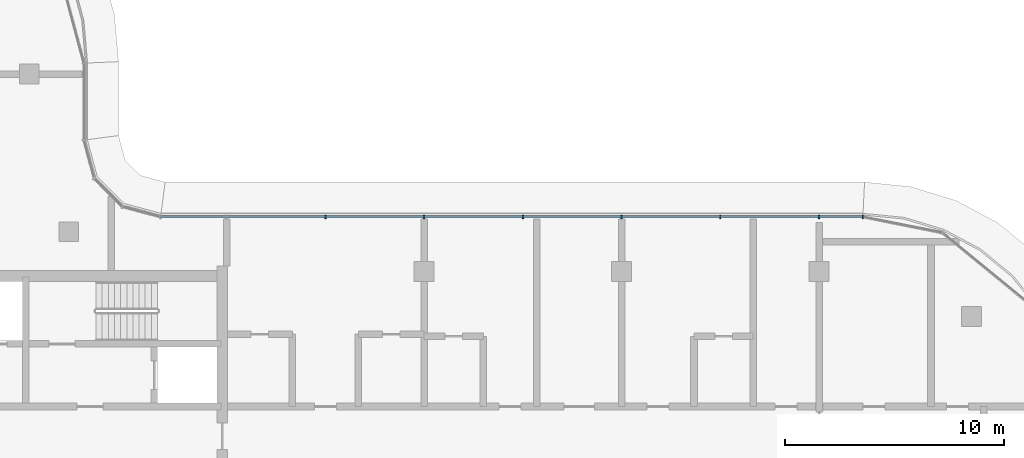
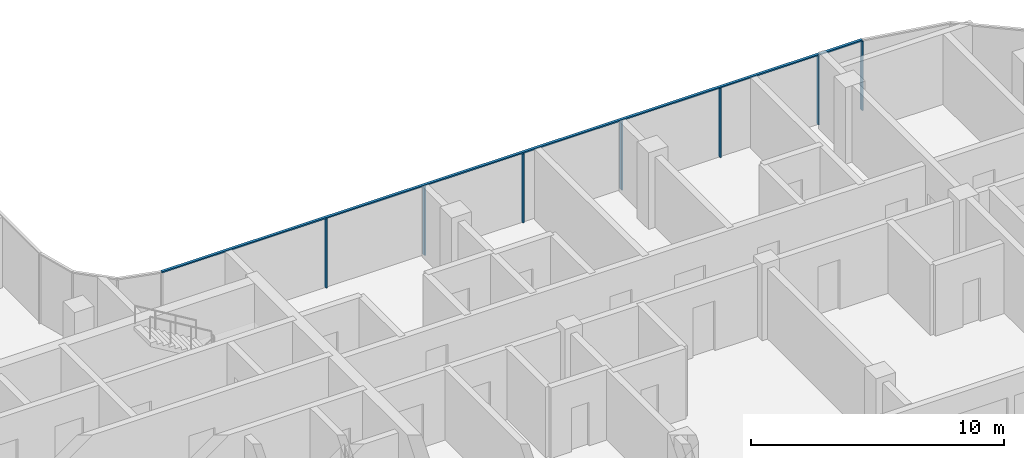
# One storey, part 4 of 20: 8 members, 1 element without a shape of its own.
"""IFC4 building model written with IfcOpenShell, lengths in metres."""

from ifc_helpers import new_model, si_unit, direction, frame, origin, origin_2d, place, context, subcontext, project, spatial, rectangle, extrude, material, material_profile, profile_set, type_object, element, aggregate, save


model = new_model("IFC4")

# Units and contexts
model_context = context("Model", 3, precision=1e-05, world=origin(), true_north=direction((0.0, 1.0)))
body_context = subcontext(model_context, "Body", "Model", "MODEL_VIEW")
ifc_project = project(units=[si_unit("LENGTHUNIT", "METRE"), si_unit("AREAUNIT", "SQUARE_METRE"), si_unit("VOLUMEUNIT", "CUBIC_METRE"), si_unit("PLANEANGLEUNIT", "RADIAN"), si_unit("MASSUNIT", "GRAM", prefix="KILO")], contexts=[model_context])

# Site, building, storey
site_placement = place(None, origin())
site = spatial("IfcSite", under=ifc_project, at=site_placement, CompositionType="ELEMENT")
building_placement = place(site_placement, origin())
building = spatial("IfcBuilding", under=site, at=building_placement, Name="Ogive Portal Towers", CompositionType="ELEMENT")
storey_placement = place(building_placement, frame((0.0, 0.0, 232.800048828125)))
storey = spatial("IfcBuildingStorey", under=building, at=storey_placement, Name="L58", CompositionType="ELEMENT", Elevation=232.800048828125)

# Curtain wall, members
ifc_material_1 = material(Name="Glass, clear low-iron insulated glazing", Category="glass")
curtain_wall_type = type_object("IfcCurtainWallType", Name="CW FRONT RIBBON 4500", PredefinedType="NOTDEFINED", material=ifc_material_1)
curtain_wall_placement = place(storey_placement, origin())
curtain_wall = element("IfcCurtainWall", 1, at=curtain_wall_placement, inside=storey, type_object=curtain_wall_type, Name="A:L58:f16:cw0", PredefinedType="NOTDEFINED")
ifc_material_2 = material(Name="Aluminium 6063 anodised", Category="aluminium")
ifc_material_profile_1 = material_profile(ifc_material_2, rectangle(XDim=0.159912109375, YDim=0.06005859375, at=origin_2d()), Name="AL 60x160")
ifc_profile_set_1 = profile_set([ifc_material_profile_1], Name="Aluminium 6063 anodised")
member_type_1 = type_object("IfcMemberType", Name="CW MULLION 60x160", PredefinedType="MULLION", material=ifc_profile_set_1)
member_1_placement = place(storey_placement, frame((87.4921875, 41.9951171875, 0.0), z_axis=(0.0, 0.0, 1.0), x_axis=(0.0, -1.0, 0.0)))
member_1 = element("IfcMember", 2, at=member_1_placement, type_object=member_type_1, Name="mullion", PredefinedType="MULLION", context=body_context, shape_type="SweptSolid", body=[
    extrude(rectangle(XDim=0.159912109375, YDim=0.06005859375, at=origin_2d()), origin(), (0.0, 0.0, 1.0), 3.33984375),
])
member_2_placement = place(storey_placement, frame((85.5, 41.9951171875, 0.0), z_axis=(0.0, 0.0, 1.0), x_axis=(0.0, -1.0, 0.0)))
member_2 = element("IfcMember", 3, at=member_2_placement, type_object=member_type_1, Name="mullion", PredefinedType="MULLION", context=body_context, shape_type="SweptSolid", body=[
    extrude(rectangle(XDim=0.159912109375, YDim=0.06005859375, at=origin_2d()), origin(), (0.0, 0.0, 1.0), 3.33984375),
])
member_3_placement = place(storey_placement, frame((81.0, 41.9951171875, 0.0), z_axis=(0.0, 0.0, 1.0), x_axis=(0.0, -1.0, 0.0)))
member_3 = element("IfcMember", 4, at=member_3_placement, type_object=member_type_1, Name="mullion", PredefinedType="MULLION", context=body_context, shape_type="SweptSolid", body=[
    extrude(rectangle(XDim=0.159912109375, YDim=0.06005859375, at=origin_2d()), origin(), (0.0, 0.0, 1.0), 3.33984375),
])
member_4_placement = place(storey_placement, frame((76.5, 41.9951171875, 0.0), z_axis=(0.0, 0.0, 1.0), x_axis=(0.0, -1.0, 0.0)))
member_4 = element("IfcMember", 5, at=member_4_placement, type_object=member_type_1, Name="mullion", PredefinedType="MULLION", context=body_context, shape_type="SweptSolid", body=[
    extrude(rectangle(XDim=0.159912109375, YDim=0.06005859375, at=origin_2d()), origin(), (0.0, 0.0, 1.0), 3.33984375),
])
member_5_placement = place(storey_placement, frame((72.0, 41.9951171875, 0.0), z_axis=(0.0, 0.0, 1.0), x_axis=(0.0, -1.0, 0.0)))
member_5 = element("IfcMember", 6, at=member_5_placement, type_object=member_type_1, Name="mullion", PredefinedType="MULLION", context=body_context, shape_type="SweptSolid", body=[
    extrude(rectangle(XDim=0.159912109375, YDim=0.06005859375, at=origin_2d()), origin(), (0.0, 0.0, 1.0), 3.33984375),
])
member_6_placement = place(storey_placement, frame((67.5, 41.9951171875, 0.0), z_axis=(0.0, 0.0, 1.0), x_axis=(0.0, -1.0, 0.0)))
member_6 = element("IfcMember", 7, at=member_6_placement, type_object=member_type_1, Name="mullion", PredefinedType="MULLION", context=body_context, shape_type="SweptSolid", body=[
    extrude(rectangle(XDim=0.159912109375, YDim=0.06005859375, at=origin_2d()), origin(), (0.0, 0.0, 1.0), 3.33984375),
])
member_7_placement = place(storey_placement, frame((63.0, 41.9951171875, 0.0), z_axis=(0.0, 0.0, 1.0), x_axis=(0.0, -1.0, 0.0)))
member_7 = element("IfcMember", 8, at=member_7_placement, type_object=member_type_1, Name="mullion", PredefinedType="MULLION", context=body_context, shape_type="SweptSolid", body=[
    extrude(rectangle(XDim=0.159912109375, YDim=0.06005859375, at=origin_2d()), origin(), (0.0, 0.0, 1.0), 3.33984375),
])
ifc_material_profile_2 = material_profile(ifc_material_2, rectangle(XDim=0.1201171875, YDim=0.06005859375, at=origin_2d()), Name="AL 120x60")
ifc_profile_set_2 = profile_set([ifc_material_profile_2], Name="Aluminium 6063 anodised")
member_type_2 = type_object("IfcMemberType", Name="CW TRANSOM 60x120", PredefinedType="USERDEFINED", material=ifc_profile_set_2)
member_8_placement = place(storey_placement, frame((87.4921875, 41.9951171875, 3.369873046875), z_axis=(-1.0, 0.0, 0.0), x_axis=(0.0, -1.0, 0.0)))
member_8 = element("IfcMember", 9, at=member_8_placement, type_object=member_type_2, Name="transom", ObjectType="TRANSOM", PredefinedType="USERDEFINED", context=body_context, shape_type="SweptSolid", body=[
    extrude(rectangle(XDim=0.1201171875, YDim=0.06005859375, at=origin_2d()), origin(), (0.0, 0.0, 1.0), 32.002685546875),
])
aggregate(curtain_wall, [member_8, member_1, member_2, member_3, member_4, member_5, member_6, member_7])

save(model, "model.ifc")
